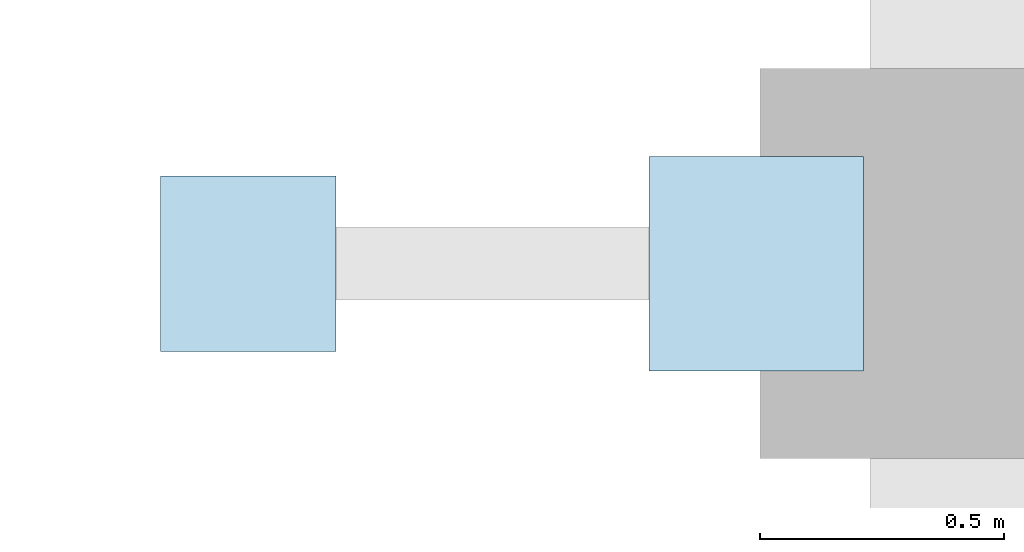
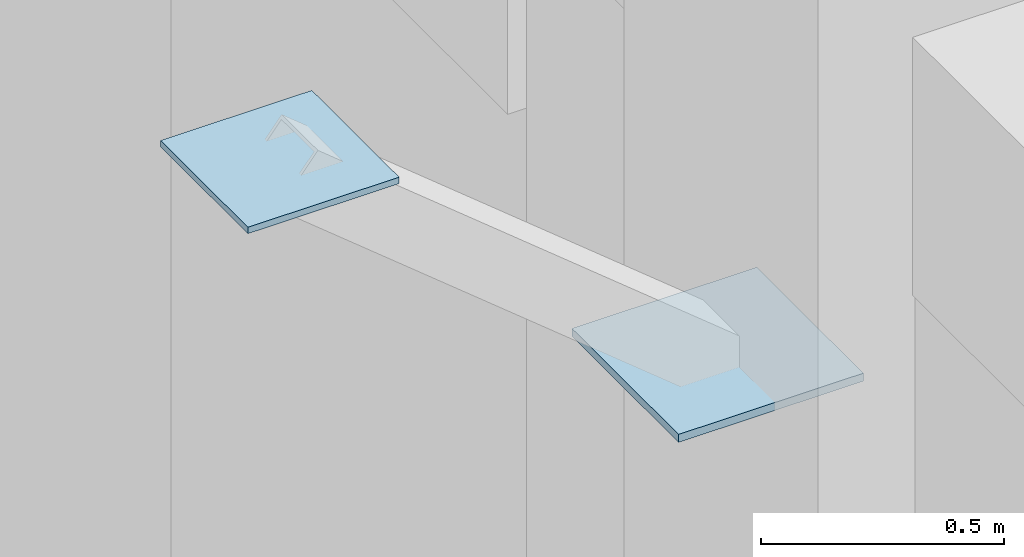
# One storey, part 123 of 157: 2 plates.
"""IFC4 building model written with IfcOpenShell, lengths in metres."""

from ifc_helpers import new_model, si_unit, direction, frame, origin, origin_2d, place, context, subcontext, project, spatial, rectangle, extrude, material, layer, layer_set, type_object, element, save


model = new_model("IFC4")

# Units and contexts
model_context = context("Model", 3, precision=1e-05, world=origin(), true_north=direction((0.0, 1.0)))
body_context = subcontext(model_context, "Body", "Model", "MODEL_VIEW")
ifc_project = project(units=[si_unit("LENGTHUNIT", "METRE"), si_unit("AREAUNIT", "SQUARE_METRE"), si_unit("VOLUMEUNIT", "CUBIC_METRE"), si_unit("PLANEANGLEUNIT", "RADIAN"), si_unit("MASSUNIT", "GRAM", prefix="KILO"), si_unit("THERMODYNAMICTEMPERATUREUNIT", "KELVIN"), si_unit("POWERUNIT", "WATT")], contexts=[model_context])

# Site, building, storey
site_placement = place(None, origin())
site = spatial("IfcSite", under=ifc_project, at=site_placement, CompositionType="ELEMENT")
building_placement = place(site_placement, origin())
building = spatial("IfcBuilding", under=site, at=building_placement, Name="Darbajah Civic Hall", CompositionType="ELEMENT")
storey_placement = place(building_placement, origin())
storey = spatial("IfcBuildingStorey", under=building, at=storey_placement, Name="L00", CompositionType="ELEMENT", Elevation=0.0)

# Plates
ifc_material = material(Name="Steel S355JR", Category="steel")
ifc_layer_1 = layer(ifc_material, 0.01611328125, Name="Steel S355JR")
ifc_layer_set_1 = layer_set([ifc_layer_1], Name="Steel S355JR")
plate_type_1 = type_object("IfcPlateType", Name="Steel Gusset Plate 360x360x16", PredefinedType="SHEET", material=ifc_layer_set_1)
plate_1_placement = place(storey_placement, frame((143.14990234375, 98.39990234375, 4.94189453125), z_axis=(0.0, 0.0, 1.0), x_axis=(1.0, 0.0, 0.0)))
element("IfcPlate", 1, at=plate_1_placement, inside=storey, type_object=plate_type_1, Name="L00 chhajja strut end cap plate 12", PredefinedType="SHEET", context=body_context, shape_type="SweptSolid", body=[
    extrude(rectangle(XDim=0.360107421875, YDim=0.360107421875, at=origin_2d()), origin(), (0.0, 0.0, 1.0), 0.01611328125),
])
ifc_layer_2 = layer(ifc_material, 0.02001953125, Name="Steel S355JR")
ifc_layer_set_2 = layer_set([ifc_layer_2], Name="Steel S355JR")
plate_type_2 = type_object("IfcPlateType", Name="Steel Gusset Plate 440x440x20", PredefinedType="SHEET", material=ifc_layer_set_2)
plate_2_placement = place(storey_placement, frame((144.19189453125, 98.39990234375, 4.090087890625), z_axis=(0.0, 0.0, 1.0), x_axis=(1.0, 0.0, 0.0)))
element("IfcPlate", 2, at=plate_2_placement, inside=storey, type_object=plate_type_2, Name="L00 chhajja strut inner gusset plate 12", PredefinedType="SHEET", context=body_context, shape_type="SweptSolid", body=[
    extrude(rectangle(XDim=0.43994140625, YDim=0.43994140625, at=origin_2d()), origin(), (0.0, 0.0, 1.0), 0.02001953125),
])

save(model, "model.ifc")
